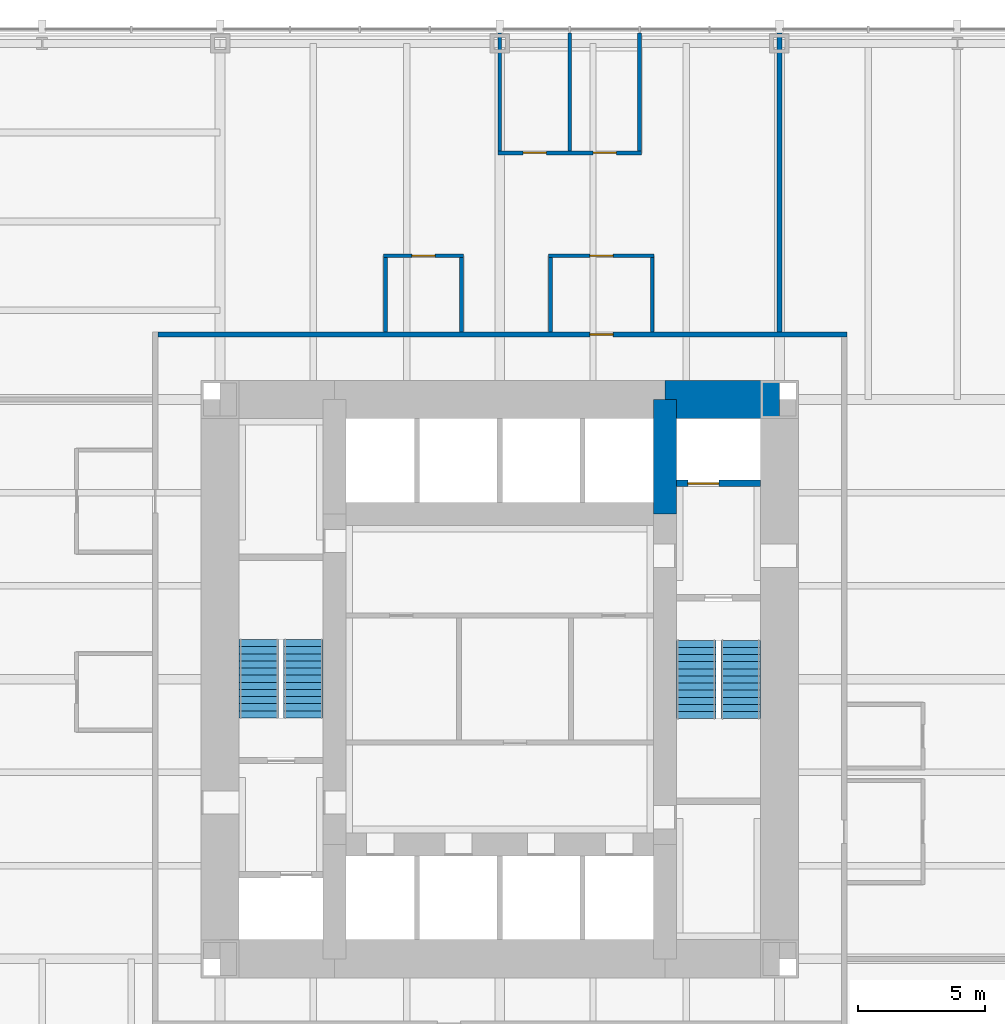
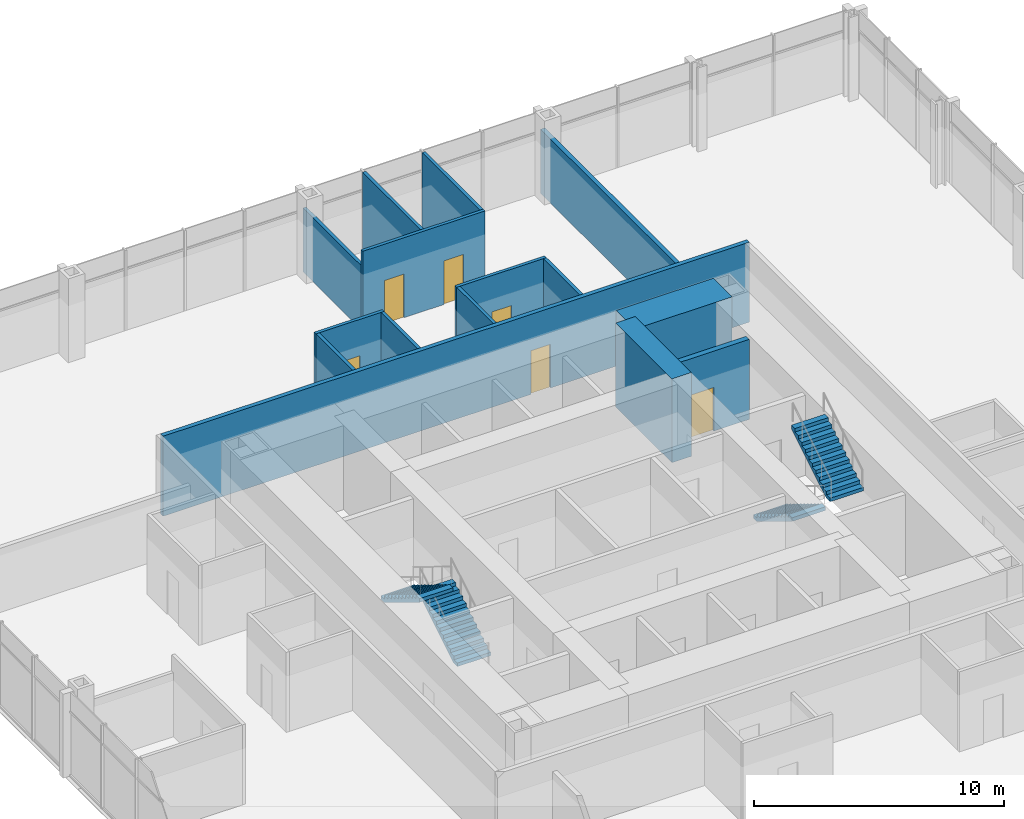
# One storey, part 11 of 12: 15 walls, 6 doors, 4 stair flights, 6 openings, 2 elements without a shape of their own.
"""IFC4 building model written with IfcOpenShell, lengths in metres."""

from ifc_helpers import new_model, si_unit, direction, frame, frame_2d, origin, place, context, subcontext, project, spatial, polyline, rectangle, outline, extrude, material, layer, layer_set, type_object, element, fill, aggregate, save


model = new_model("IFC4")

# Units and contexts
model_context = context("Model", 3, precision=1e-05, world=origin(), true_north=direction((0.0, 1.0)))
body_context = subcontext(model_context, "Body", "Model", "MODEL_VIEW")
ifc_project = project(units=[si_unit("LENGTHUNIT", "METRE"), si_unit("AREAUNIT", "SQUARE_METRE"), si_unit("VOLUMEUNIT", "CUBIC_METRE"), si_unit("PLANEANGLEUNIT", "RADIAN"), si_unit("MASSUNIT", "GRAM", prefix="KILO")], contexts=[model_context])

# Site, building, storey
site_placement = place(None, origin())
site = spatial("IfcSite", under=ifc_project, at=site_placement, CompositionType="ELEMENT")
building_placement = place(site_placement, origin())
building = spatial("IfcBuilding", under=site, at=building_placement, Name="Trevanion Tower", CompositionType="ELEMENT")
storey_placement = place(building_placement, frame((0.0, 0.0, 20.10009765625)))
storey = spatial("IfcBuildingStorey", under=building, at=storey_placement, Name="L04", CompositionType="ELEMENT", Elevation=20.10009765625)

# Walls
ifc_material_1 = material(Name="Concrete 10,000 psi", Category="concrete")
ifc_layer_1 = layer(ifc_material_1, 1.5)
ifc_layer_set_1 = layer_set([ifc_layer_1], Name="CW1 core wall 1500")
wall_type_1 = type_object("IfcWallType", Name="CW1 core wall 1500", PredefinedType="SHEAR", material=ifc_layer_set_1)
wall_1_placement = place(storey_placement, frame((11.0, 11.0, 0.0), z_axis=(0.0, 0.0, 1.0), x_axis=(-1.0, 0.0, 0.0)))
element("IfcWall", 1, at=wall_1_placement, inside=storey, type_object=wall_type_1, Name="CW1 CN1 L04", PredefinedType="SHEAR", context=body_context, shape_type="SweptSolid", body=[
    extrude(rectangle(XDim=4.5, YDim=1.5, at=frame_2d((2.25, 0.0))), origin(), (0.0, 0.0, 1.0), 4.099853515625),
])
ifc_material_2 = material(Name="Concrete 10,000 psi", Category="concrete")
ifc_layer_2 = layer(ifc_material_2, 0.89990234375)
ifc_layer_set_2 = layer_set([ifc_layer_2], Name="CW2 core wall 900")
wall_type_2 = type_object("IfcWallType", Name="CW2 core wall 900", PredefinedType="SHEAR", material=ifc_layer_set_2)
wall_2_placement = place(storey_placement, frame((6.5, 6.5, 0.0), z_axis=(0.0, 0.0, 1.0), x_axis=(0.0, 1.0, 0.0)))
element("IfcWall", 2, at=wall_2_placement, inside=storey, type_object=wall_type_2, Name="CW2 RE3 L04", PredefinedType="SHEAR", context=body_context, shape_type="SweptSolid", body=[
    extrude(rectangle(XDim=4.5, YDim=0.89990234375, at=frame_2d((2.25, 0.0))), origin(), (0.0, 0.0, 1.0), 4.099853515625),
])

# Wall, openings, doors
ifc_material_3 = material(Name="Gypsum board on steel studs", Category="steel")
ifc_layer_3 = layer(ifc_material_3, 0.14990234375)
ifc_layer_set_3 = layer_set([ifc_layer_3], Name="PT1 partition 150")
wall_type_3 = type_object("IfcWallType", Name="PT1 partition 150", PredefinedType="PARTITIONING", material=ifc_layer_set_3)
wall_3_placement = place(storey_placement, frame((5.574951171875, 20.699951171875, 0.0), z_axis=(0.0, 0.0, 1.0), x_axis=(-1.0, 0.0, 0.0)))
wall_3 = element("IfcWall", 3, at=wall_3_placement, inside=storey, type_object=wall_type_3, Name="PT1 L04 FC1F", PredefinedType="PARTITIONING", context=body_context, shape_type="SweptSolid", body=[
    extrude(rectangle(XDim=5.64990234375, YDim=0.14990234375, at=frame_2d((2.824951171875, 0.0))), origin(), (0.0, 0.0, 1.0), 3.909912109375),
])
opening_1_placement = place(wall_3_placement, frame((0.992431640625, 0.0, 0.0)))
opening_1 = element("IfcOpeningElement", 4, at=opening_1_placement, cuts=wall_3, Name="Opening 04-021", PredefinedType="OPENING", context=body_context, shape_type="SweptSolid", body=[
    extrude(rectangle(XDim=0.9150390625, YDim=2.134033203125, at=frame_2d((0.45751953125, 1.06689453125))), frame((0.0, 0.0849609375, 0.0), z_axis=(0.0, -1.0, 0.0), x_axis=(1.0, 0.0, 0.0)), (0.0, 0.0, 1.0), 0.169921875),
])
opening_2_placement = place(wall_3_placement, frame((3.742431640625, 0.0, 0.0)))
opening_2 = element("IfcOpeningElement", 5, at=opening_2_placement, cuts=wall_3, Name="Opening 04-022", PredefinedType="OPENING", context=body_context, shape_type="SweptSolid", body=[
    extrude(rectangle(XDim=0.9150390625, YDim=2.134033203125, at=frame_2d((0.45751953125, 1.06689453125))), frame((0.0, 0.0849609375, 0.0), z_axis=(0.0, -1.0, 0.0), x_axis=(1.0, 0.0, 0.0)), (0.0, 0.0, 1.0), 0.169921875),
])
ifc_material_4 = material(Name="Timber veneer, solid core", Category="wood")
door_type_1 = type_object("IfcDoorType", Name="D1 office and meeting room door", OperationType="SINGLE_SWING_LEFT", PredefinedType="DOOR", material=ifc_material_4)
door_1_placement = place(opening_1_placement, origin())
door_1 = element("IfcDoor", 6, at=door_1_placement, inside=storey, type_object=door_type_1, Name="Door 04-021", OperationType="SINGLE_SWING_LEFT", OverallHeight=2.134033203125, OverallWidth=0.9150390625, PredefinedType="DOOR", context=body_context, shape_type="SweptSolid", body=[
    extrude(rectangle(XDim=0.9150390625, YDim=2.134033203125, at=frame_2d((0.45751953125, 1.06689453125))), frame((0.0, 0.02490234375, 0.0), z_axis=(0.0, -1.0, 0.0), x_axis=(1.0, 0.0, 0.0)), (0.0, 0.0, 1.0), 0.050048828125),
])
fill(opening_1, door_1)
door_2_placement = place(opening_2_placement, origin())
door_2 = element("IfcDoor", 7, at=door_2_placement, inside=storey, type_object=door_type_1, Name="Door 04-022", OperationType="SINGLE_SWING_LEFT", OverallHeight=2.134033203125, OverallWidth=0.9150390625, PredefinedType="DOOR", context=body_context, shape_type="SweptSolid", body=[
    extrude(rectangle(XDim=0.9150390625, YDim=2.134033203125, at=frame_2d((0.45751953125, 1.06689453125))), frame((0.0, 0.02490234375, 0.0), z_axis=(0.0, -1.0, 0.0), x_axis=(1.0, 0.0, 0.0)), (0.0, 0.0, 1.0), 0.050048828125),
])
fill(opening_2, door_2)

# Walls
for number, where, z_axis, x_axis, name in (
    (8, (5.5, 20.77490234375, 0.0), (0.0, 0.0, 1.0), (0.0, 1.0, 0.0), "PT1 L04 FC1S0"),
    (9, (2.75, 20.77490234375, 0.0), (0.0, 0.0, 1.0), (0.0, 1.0, 0.0), "PT1 L04 FC1S1"),
):
    element("IfcWall", number, at=place(storey_placement, frame(where, z_axis=z_axis, x_axis=x_axis)), inside=storey, type_object=wall_type_3, Name=name, PredefinedType="PARTITIONING", context=body_context, shape_type="SweptSolid", body=[
        extrude(rectangle(XDim=4.64013671875, YDim=0.14990234375, at=frame_2d((2.320068359375, 0.0))), origin(), (0.0, 0.0, 1.0), 3.909912109375),
    ])
wall_4_placement = place(storey_placement, frame((0.0, 20.77490234375, 0.0), z_axis=(0.0, 0.0, 1.0), x_axis=(0.0, 1.0, 0.0)))
element("IfcWall", 10, at=wall_4_placement, inside=storey, type_object=wall_type_3, Name="PT1 L04 FC1S2", PredefinedType="PARTITIONING", context=body_context, shape_type="SweptSolid", body=[
    extrude(rectangle(XDim=4.64013671875, YDim=0.14990234375, at=frame_2d((2.320068359375, 0.0))), origin(), (0.0, 0.0, 1.0), 3.130126953125),
])

# Wall, opening, door
wall_5_placement = place(storey_placement, frame((6.074951171875, 16.64990234375, 0.0), z_axis=(0.0, 0.0, 1.0), x_axis=(-1.0, 0.0, 0.0)))
wall_5 = element("IfcWall", 11, at=wall_5_placement, inside=storey, type_object=wall_type_3, Name="PT1 L04 IN10F", PredefinedType="PARTITIONING", context=body_context, shape_type="SweptSolid", body=[
    extrude(rectangle(XDim=4.14990234375, YDim=0.14990234375, at=frame_2d((2.074951171875, 0.0))), origin(), (0.0, 0.0, 1.0), 3.909912109375),
])
opening_3_placement = place(wall_5_placement, frame((1.617431640625, 0.0, 0.0)))
opening_3 = element("IfcOpeningElement", 12, at=opening_3_placement, cuts=wall_5, Name="Opening 04-027", PredefinedType="OPENING", context=body_context, shape_type="SweptSolid", body=[
    extrude(rectangle(XDim=0.9150390625, YDim=2.134033203125, at=frame_2d((0.45751953125, 1.06689453125))), frame((0.0, 0.0849609375, 0.0), z_axis=(0.0, -1.0, 0.0), x_axis=(1.0, 0.0, 0.0)), (0.0, 0.0, 1.0), 0.169921875),
])
door_3_placement = place(opening_3_placement, origin())
door_3 = element("IfcDoor", 13, at=door_3_placement, inside=storey, type_object=door_type_1, Name="Door 04-027", OperationType="SINGLE_SWING_LEFT", OverallHeight=2.134033203125, OverallWidth=0.9150390625, PredefinedType="DOOR", context=body_context, shape_type="SweptSolid", body=[
    extrude(rectangle(XDim=0.9150390625, YDim=2.134033203125, at=frame_2d((0.45751953125, 1.06689453125))), frame((0.0, 0.02490234375, 0.0), z_axis=(0.0, -1.0, 0.0), x_axis=(1.0, 0.0, 0.0)), (0.0, 0.0, 1.0), 0.050048828125),
])
fill(opening_3, door_3)

# Walls
for number, where, z_axis, x_axis, name in (
    (14, (6.0, 16.574951171875, 0.0), (0.0, 0.0, 1.0), (0.0, -1.0, 0.0), "PT1 L04 IN10S0"),
    (15, (2.0, 16.574951171875, 0.0), (0.0, 0.0, 1.0), (0.0, -1.0, 0.0), "PT1 L04 IN10S1"),
):
    element("IfcWall", number, at=place(storey_placement, frame(where, z_axis=z_axis, x_axis=x_axis)), inside=storey, type_object=wall_type_3, Name=name, PredefinedType="PARTITIONING", context=body_context, shape_type="SweptSolid", body=[
        extrude(rectangle(XDim=2.925048828125, YDim=0.14990234375, at=frame_2d((1.46240234375, 0.0))), origin(), (0.0, 0.0, 1.0), 3.909912109375),
    ])

# Wall, opening, door
wall_6_placement = place(storey_placement, frame((-1.425048828125, 16.64990234375, 0.0), z_axis=(0.0, 0.0, 1.0), x_axis=(-1.0, 0.0, 0.0)))
wall_6 = element("IfcWall", 16, at=wall_6_placement, inside=storey, type_object=wall_type_3, Name="PT1 L04 IN11F", PredefinedType="PARTITIONING", context=body_context, shape_type="SweptSolid", body=[
    extrude(rectangle(XDim=3.14990234375, YDim=0.14990234375, at=frame_2d((1.574951171875, 0.0))), origin(), (0.0, 0.0, 1.0), 3.909912109375),
])
opening_4_placement = place(wall_6_placement, frame((1.117431640625, 0.0, 0.0)))
opening_4 = element("IfcOpeningElement", 17, at=opening_4_placement, cuts=wall_6, Name="Opening 04-029", PredefinedType="OPENING", context=body_context, shape_type="SweptSolid", body=[
    extrude(rectangle(XDim=0.9150390625, YDim=2.134033203125, at=frame_2d((0.45751953125, 1.06689453125))), frame((0.0, 0.0849609375, 0.0), z_axis=(0.0, -1.0, 0.0), x_axis=(1.0, 0.0, 0.0)), (0.0, 0.0, 1.0), 0.169921875),
])
door_4_placement = place(opening_4_placement, origin())
door_4 = element("IfcDoor", 18, at=door_4_placement, inside=storey, type_object=door_type_1, Name="Door 04-029", OperationType="SINGLE_SWING_LEFT", OverallHeight=2.134033203125, OverallWidth=0.9150390625, PredefinedType="DOOR", context=body_context, shape_type="SweptSolid", body=[
    extrude(rectangle(XDim=0.9150390625, YDim=2.134033203125, at=frame_2d((0.45751953125, 1.06689453125))), frame((0.0, 0.02490234375, 0.0), z_axis=(0.0, -1.0, 0.0), x_axis=(1.0, 0.0, 0.0)), (0.0, 0.0, 1.0), 0.050048828125),
])
fill(opening_4, door_4)

# Walls
for number, where, z_axis, x_axis, name in (
    (19, (-1.5, 16.574951171875, 0.0), (0.0, 0.0, 1.0), (0.0, -1.0, 0.0), "PT1 L04 IN11S0"),
    (20, (-4.5, 16.574951171875, 0.0), (0.0, 0.0, 1.0), (0.0, -1.0, 0.0), "PT1 L04 IN11S1"),
):
    element("IfcWall", number, at=place(storey_placement, frame(where, z_axis=z_axis, x_axis=x_axis)), inside=storey, type_object=wall_type_3, Name=name, PredefinedType="PARTITIONING", context=body_context, shape_type="SweptSolid", body=[
        extrude(rectangle(XDim=2.925048828125, YDim=0.14990234375, at=frame_2d((1.46240234375, 0.0))), origin(), (0.0, 0.0, 1.0), 3.909912109375),
    ])

# Wall, opening, door
ifc_material_5 = material(Name="Concrete masonry, grouted", Category="masonry")
ifc_layer_4 = layer(ifc_material_5, 0.199951171875)
ifc_layer_set_4 = layer_set([ifc_layer_4], Name="PT2 partition 200 1 HR")
wall_type_4 = type_object("IfcWallType", Name="PT2 partition 200 1 HR", PredefinedType="PARTITIONING", material=ifc_layer_set_4)
wall_7_placement = place(storey_placement, frame((13.64990234375, 13.550048828125, 0.0), z_axis=(0.0, 0.0, 1.0), x_axis=(-1.0, 0.0, 0.0)))
wall_7 = element("IfcWall", 21, at=wall_7_placement, inside=storey, type_object=wall_type_4, Name="PT2 L04 OC1", PredefinedType="PARTITIONING", context=body_context, shape_type="SweptSolid", body=[
    extrude(rectangle(XDim=27.099853515625, YDim=0.199951171875, at=frame_2d((13.5498046875, 0.0))), origin(), (0.0, 0.0, 1.0), 3.909912109375),
])
opening_5_placement = place(wall_7_placement, frame((9.1923828125, 0.0, 0.0)))
opening_5 = element("IfcOpeningElement", 22, at=opening_5_placement, cuts=wall_7, Name="Opening 04-028", PredefinedType="OPENING", context=body_context, shape_type="SweptSolid", body=[
    extrude(rectangle(XDim=0.9150390625, YDim=2.134033203125, at=frame_2d((0.45751953125, 1.06689453125))), frame((0.0, 0.10986328125, 0.0), z_axis=(0.0, -1.0, 0.0), x_axis=(1.0, 0.0, 0.0)), (0.0, 0.0, 1.0), 0.219970703125),
])
ifc_material_6 = material(Name="Timber veneer, fire rated", Category="wood")
door_type_2 = type_object("IfcDoorType", Name="D10 office door in a one hour wall", OperationType="SINGLE_SWING_LEFT", PredefinedType="DOOR", material=ifc_material_6)
door_5_placement = place(opening_5_placement, origin())
door_5 = element("IfcDoor", 23, at=door_5_placement, inside=storey, type_object=door_type_2, Name="Door 04-028", OperationType="SINGLE_SWING_LEFT", OverallHeight=2.134033203125, OverallWidth=0.9150390625, PredefinedType="DOOR", context=body_context, shape_type="SweptSolid", body=[
    extrude(rectangle(XDim=0.9150390625, YDim=2.134033203125, at=frame_2d((0.45751953125, 1.06689453125))), frame((0.0, 0.02490234375, 0.0), z_axis=(0.0, -1.0, 0.0), x_axis=(1.0, 0.0, 0.0)), (0.0, 0.0, 1.0), 0.050048828125),
])
fill(opening_5, door_5)

# Wall
wall_8_placement = place(storey_placement, frame((11.0, 13.64990234375, 0.0), z_axis=(0.0, 0.0, 1.0), x_axis=(0.0, 1.0, 0.0)))
element("IfcWall", 24, at=wall_8_placement, inside=storey, type_object=wall_type_4, Name="PT2 L04 DM0", PredefinedType="PARTITIONING", context=body_context, shape_type="SweptSolid", body=[
    extrude(rectangle(XDim=11.76513671875, YDim=0.199951171875, at=frame_2d((5.882568359375, 0.0))), origin(), (0.0, 0.0, 1.0), 3.130126953125),
])

# Wall, opening, door
ifc_material_7 = material(Name="Concrete masonry, grouted, two-hour", Category="masonry")
ifc_layer_5 = layer(ifc_material_7, 0.25)
ifc_layer_set_5 = layer_set([ifc_layer_5], Name="PT3 partition 250 2 HR")
wall_type_5 = type_object("IfcWallType", Name="PT3 partition 250 2 HR", PredefinedType="PARTITIONING", material=ifc_layer_set_5)
wall_9_placement = place(storey_placement, frame((6.949951171875, 7.699951171875, 0.0), z_axis=(0.0, 0.0, 1.0), x_axis=(1.0, 0.0, 0.0)))
wall_9 = element("IfcWall", 25, at=wall_9_placement, inside=storey, type_object=wall_type_5, Name="PT3 L04 EP3", PredefinedType="PARTITIONING", context=body_context, shape_type="SweptSolid", body=[
    extrude(rectangle(XDim=3.300048828125, YDim=0.25, at=frame_2d((1.64990234375, 0.0))), origin(), (0.0, 0.0, 1.0), 3.909912109375),
])
opening_6_placement = place(wall_9_placement, frame((0.449951171875, 0.0, 0.0)))
opening_6 = element("IfcOpeningElement", 26, at=opening_6_placement, cuts=wall_9, Name="Opening 04-007", PredefinedType="OPENING", context=body_context, shape_type="SweptSolid", body=[
    extrude(rectangle(XDim=1.218994140625, YDim=2.134033203125, at=frame_2d((0.609375, 1.06689453125))), frame((0.0, 0.135009765625, 0.0), z_axis=(0.0, -1.0, 0.0), x_axis=(1.0, 0.0, 0.0)), (0.0, 0.0, 1.0), 0.27001953125),
])
ifc_material_8 = material(Name="Stainless steel, fire rated", Category="steel")
door_type_3 = type_object("IfcDoorType", Name="LD2 fire service lift landing door", OperationType="SLIDING_TO_LEFT", PredefinedType="DOOR", material=ifc_material_8)
door_6_placement = place(opening_6_placement, origin())
door_6 = element("IfcDoor", 27, at=door_6_placement, inside=storey, type_object=door_type_3, Name="Door 04-007", OperationType="SLIDING_TO_LEFT", OverallHeight=2.134033203125, OverallWidth=1.218994140625, PredefinedType="DOOR", context=body_context, shape_type="SweptSolid", body=[
    extrude(rectangle(XDim=1.218994140625, YDim=2.134033203125, at=frame_2d((0.609375, 1.06689453125))), frame((0.0, 0.02490234375, 0.0), z_axis=(0.0, -1.0, 0.0), x_axis=(1.0, 0.0, 0.0)), (0.0, 0.0, 1.0), 0.050048828125),
])
fill(opening_6, door_6)

# Stair, stair flights
ifc_material_9 = material(Name="Concrete 5,000 psi on steel stringers", Category="concrete")
stair_type = type_object("IfcStairType", Name="ST stair", PredefinedType="HALF_TURN_STAIR", material=ifc_material_9)
stair_1_placement = place(storey_placement, origin())
stair_1 = element("IfcStair", 28, at=stair_1_placement, inside=storey, type_object=stair_type, Name="ST1 L04", PredefinedType="HALF_TURN_STAIR")
ifc_material_10 = material(Name="Concrete 5,000 psi in steel pan", Category="concrete")
stair_flight_type = type_object("IfcStairFlightType", Name="STF stair flight", PredefinedType="STRAIGHT", material=ifc_material_10)
stair_flight_1_placement = place(storey_placement, frame((7.72509765625, 1.52490234375, 0.0), z_axis=(0.0, 0.0, 1.0), x_axis=(0.0, -1.0, 0.0)))
stair_flight_1 = element("IfcStairFlight", 29, at=stair_flight_1_placement, type_object=stair_flight_type, Name="ST1 flight 1", NumberOfRisers=12, NumberOfTreads=11, PredefinedType="STRAIGHT", RiserHeight=0.170833333, TreadLength=0.28, context=body_context, shape_type="SweptSolid", body=[
    extrude(outline(polyline([(0.0, 0.0), (0.0, 0.1708984375), (0.280029296875, 0.1708984375), (0.280029296875, 0.341552734375), (0.56005859375, 0.341552734375), (0.56005859375, 0.512451171875), (0.840087890625, 0.512451171875), (0.840087890625, 0.683349609375), (1.1201171875, 0.683349609375), (1.1201171875, 0.854248046875), (1.39990234375, 0.854248046875), (1.39990234375, 1.02490234375), (1.679931640625, 1.02490234375), (1.679931640625, 1.19580078125), (1.9599609375, 1.19580078125), (1.9599609375, 1.36669921875), (2.239990234375, 1.36669921875), (2.239990234375, 1.53759765625), (2.52001953125, 1.53759765625), (2.52001953125, 1.708251953125), (2.800048828125, 1.708251953125), (2.800048828125, 1.879150390625), (3.080078125, 1.879150390625), (3.080078125, 2.050048828125), (3.080078125, 1.70361328125), (0.287841796875, 0.0), (0.0, 0.0)])), frame((0.0, 0.77490234375, 0.0), z_axis=(0.0, -1.0, 0.0), x_axis=(1.0, 0.0, 0.0)), (0.0, 0.0, 1.0), 1.550048828125),
])
stair_flight_2_placement = place(storey_placement, frame((9.47509765625, -1.554931640625, 2.0498046875), z_axis=(0.0, 0.0, 1.0), x_axis=(0.0, 1.0, 0.0)))
stair_flight_2 = element("IfcStairFlight", 30, at=stair_flight_2_placement, type_object=stair_flight_type, Name="ST1 flight 2", NumberOfRisers=12, NumberOfTreads=11, PredefinedType="STRAIGHT", RiserHeight=0.170833333, TreadLength=0.28, context=body_context, shape_type="SweptSolid", body=[
    extrude(outline(polyline([(0.0, 0.0), (0.0, 0.1708984375), (0.280029296875, 0.1708984375), (0.280029296875, 0.341552734375), (0.56005859375, 0.341552734375), (0.56005859375, 0.512451171875), (0.840087890625, 0.512451171875), (0.840087890625, 0.683349609375), (1.1201171875, 0.683349609375), (1.1201171875, 0.854248046875), (1.39990234375, 0.854248046875), (1.39990234375, 1.02490234375), (1.679931640625, 1.02490234375), (1.679931640625, 1.19580078125), (1.9599609375, 1.19580078125), (1.9599609375, 1.36669921875), (2.239990234375, 1.36669921875), (2.239990234375, 1.53759765625), (2.52001953125, 1.53759765625), (2.52001953125, 1.708251953125), (2.800048828125, 1.708251953125), (2.800048828125, 1.879150390625), (3.080078125, 1.879150390625), (3.080078125, 2.050048828125), (3.080078125, 1.70361328125), (0.287841796875, 0.0), (0.0, 0.0)])), frame((0.0, 0.77490234375, 0.0), z_axis=(0.0, -1.0, 0.0), x_axis=(1.0, 0.0, 0.0)), (0.0, 0.0, 1.0), 1.550048828125),
])
aggregate(stair_1, [stair_flight_1, stair_flight_2])

stair_2_placement = place(storey_placement, origin())
stair_2 = element("IfcStair", 31, at=stair_2_placement, inside=storey, type_object=stair_type, Name="ST2 L04", PredefinedType="HALF_TURN_STAIR")
stair_flight_3_placement = place(storey_placement, frame((-7.72509765625, -1.52490234375, 0.0), z_axis=(0.0, 0.0, 1.0), x_axis=(0.0, 1.0, 0.0)))
stair_flight_3 = element("IfcStairFlight", 32, at=stair_flight_3_placement, type_object=stair_flight_type, Name="ST2 flight 1", NumberOfRisers=12, NumberOfTreads=11, PredefinedType="STRAIGHT", RiserHeight=0.170833333, TreadLength=0.28, context=body_context, shape_type="SweptSolid", body=[
    extrude(outline(polyline([(0.0, 0.0), (0.0, 0.1708984375), (0.280029296875, 0.1708984375), (0.280029296875, 0.341552734375), (0.56005859375, 0.341552734375), (0.56005859375, 0.512451171875), (0.840087890625, 0.512451171875), (0.840087890625, 0.683349609375), (1.1201171875, 0.683349609375), (1.1201171875, 0.854248046875), (1.39990234375, 0.854248046875), (1.39990234375, 1.02490234375), (1.679931640625, 1.02490234375), (1.679931640625, 1.19580078125), (1.9599609375, 1.19580078125), (1.9599609375, 1.36669921875), (2.239990234375, 1.36669921875), (2.239990234375, 1.53759765625), (2.52001953125, 1.53759765625), (2.52001953125, 1.708251953125), (2.800048828125, 1.708251953125), (2.800048828125, 1.879150390625), (3.080078125, 1.879150390625), (3.080078125, 2.050048828125), (3.080078125, 1.70361328125), (0.287841796875, 0.0), (0.0, 0.0)])), frame((0.0, 0.77490234375, 0.0), z_axis=(0.0, -1.0, 0.0), x_axis=(1.0, 0.0, 0.0)), (0.0, 0.0, 1.0), 1.550048828125),
])
stair_flight_4_placement = place(storey_placement, frame((-9.47509765625, 1.554931640625, 2.0498046875), z_axis=(0.0, 0.0, 1.0), x_axis=(0.0, -1.0, 0.0)))
stair_flight_4 = element("IfcStairFlight", 33, at=stair_flight_4_placement, type_object=stair_flight_type, Name="ST2 flight 2", NumberOfRisers=12, NumberOfTreads=11, PredefinedType="STRAIGHT", RiserHeight=0.170833333, TreadLength=0.28, context=body_context, shape_type="SweptSolid", body=[
    extrude(outline(polyline([(0.0, 0.0), (0.0, 0.1708984375), (0.280029296875, 0.1708984375), (0.280029296875, 0.341552734375), (0.56005859375, 0.341552734375), (0.56005859375, 0.512451171875), (0.840087890625, 0.512451171875), (0.840087890625, 0.683349609375), (1.1201171875, 0.683349609375), (1.1201171875, 0.854248046875), (1.39990234375, 0.854248046875), (1.39990234375, 1.02490234375), (1.679931640625, 1.02490234375), (1.679931640625, 1.19580078125), (1.9599609375, 1.19580078125), (1.9599609375, 1.36669921875), (2.239990234375, 1.36669921875), (2.239990234375, 1.53759765625), (2.52001953125, 1.53759765625), (2.52001953125, 1.708251953125), (2.800048828125, 1.708251953125), (2.800048828125, 1.879150390625), (3.080078125, 1.879150390625), (3.080078125, 2.050048828125), (3.080078125, 1.70361328125), (0.287841796875, 0.0), (0.0, 0.0)])), frame((0.0, 0.77490234375, 0.0), z_axis=(0.0, -1.0, 0.0), x_axis=(1.0, 0.0, 0.0)), (0.0, 0.0, 1.0), 1.550048828125),
])
aggregate(stair_2, [stair_flight_3, stair_flight_4])

save(model, "model.ifc")
